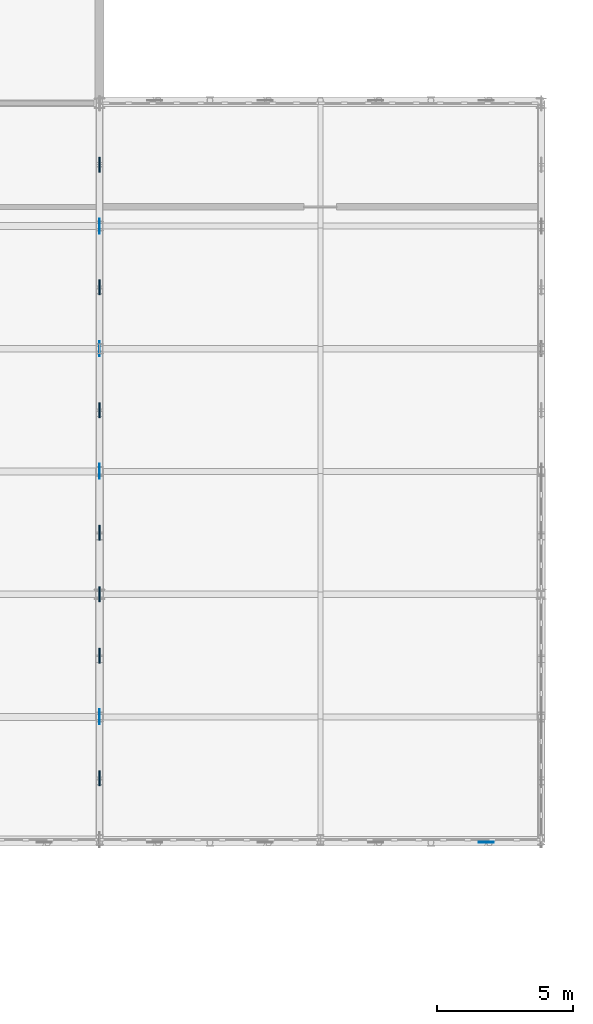
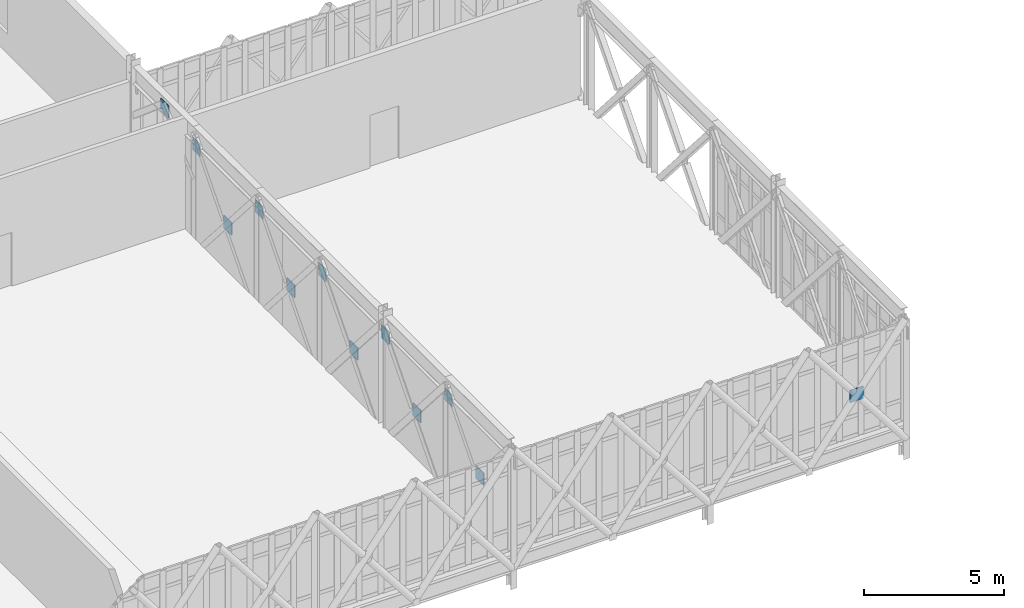
# One storey, part 85 of 107: 12 plates.
"""IFC4 building model written with IfcOpenShell, lengths in metres."""

from ifc_helpers import new_model, si_unit, direction, frame, origin, origin_2d, place, context, subcontext, project, spatial, rectangle, extrude, material, layer, layer_set, type_object, element, save


model = new_model("IFC4")

# Units and contexts
model_context = context("Model", 3, precision=1e-05, world=origin(), true_north=direction((0.0, 1.0)))
body_context = subcontext(model_context, "Body", "Model", "MODEL_VIEW")
ifc_project = project(units=[si_unit("LENGTHUNIT", "METRE"), si_unit("AREAUNIT", "SQUARE_METRE"), si_unit("VOLUMEUNIT", "CUBIC_METRE"), si_unit("PLANEANGLEUNIT", "RADIAN"), si_unit("MASSUNIT", "GRAM", prefix="KILO")], contexts=[model_context])

# Site, building, storey
site_placement = place(None, origin())
site = spatial("IfcSite", under=ifc_project, at=site_placement, CompositionType="ELEMENT")
building_placement = place(site_placement, origin())
building = spatial("IfcBuilding", under=site, at=building_placement, Name="Tarnveldt Square Police Headquarters", CompositionType="ELEMENT")
storey_placement = place(building_placement, frame((0.0, 0.0, 14.699951171875)))
storey = spatial("IfcBuildingStorey", under=building, at=storey_placement, Name="L03", CompositionType="ELEMENT", Elevation=14.699951171875)

# Plates
ifc_material = material(Name="Steel 350W", Category="steel")
ifc_layer_1 = layer(ifc_material, 0.02001953125)
ifc_layer_set_1 = layer_set([ifc_layer_1], Name="Steel 350W")
plate_type_1 = type_object("IfcPlateType", Name="PLT-GUS-20", PredefinedType="SHEET", material=ifc_layer_set_1)
for number, where, z_axis, x_axis, name in (
    (1, (48.60009765625, 29.5, 3.6318359375), (0.0, 0.0, 1.0), (1.0, 0.0, 0.0), "Node KN-CT3.2 Gusset Plate"),
    (2, (48.60009765625, 20.5, 3.6318359375), (0.0, 0.0, 1.0), (1.0, 0.0, 0.0), "Node KN-CT3.4 Gusset Plate"),
    (3, (48.60009765625, 11.5, 3.6318359375), (0.0, 0.0, 1.0), (1.0, 0.0, 0.0), "Node KN-CT3.6 Gusset Plate"),
):
    element("IfcPlate", number, at=place(storey_placement, frame(where, z_axis=z_axis, x_axis=x_axis)), inside=storey, type_object=plate_type_1, Name=name, PredefinedType="SHEET", context=body_context, shape_type="SweptSolid", body=[
        extrude(rectangle(XDim=0.02001953125, YDim=0.550048828125, at=origin_2d()), origin(), (0.0, 0.0, 1.0), 0.550048828125),
    ])
ifc_layer_2 = layer(ifc_material, 0.031982421875)
ifc_layer_set_2 = layer_set([ifc_layer_2], Name="Steel 350W")
plate_type_2 = type_object("IfcPlateType", Name="PLT-GUS-32", PredefinedType="SHEET", material=ifc_layer_set_2)
plate_1_placement = place(storey_placement, frame((48.60009765625, 25.0, 3.6318359375), z_axis=(0.0, 0.0, 1.0), x_axis=(1.0, 0.0, 0.0)))
element("IfcPlate", 4, at=plate_1_placement, inside=storey, type_object=plate_type_2, Name="Node KN-CT3.3 Gusset Plate", PredefinedType="SHEET", context=body_context, shape_type="SweptSolid", body=[
    extrude(rectangle(XDim=0.031982421875, YDim=0.550048828125, at=origin_2d()), origin(), (0.0, 0.0, 1.0), 0.550048828125),
])
plate_2_placement = place(storey_placement, frame((62.77490234375, 6.89990234375, 1.58203125), z_axis=(0.0, 0.0, 1.0), x_axis=(1.0, 0.0, 0.0)))
element("IfcPlate", 5, at=plate_2_placement, inside=storey, type_object=plate_type_2, Name="Command Lantern S Lattice Crossing Gusset Plate 7.2", PredefinedType="SHEET", context=body_context, shape_type="SweptSolid", body=[
    extrude(rectangle(XDim=0.550048828125, YDim=0.031982421875, at=origin_2d()), origin(), (0.0, 0.0, 1.0), 0.550048828125),
])
ifc_layer_3 = layer(ifc_material, 0.0419921875)
ifc_layer_set_3 = layer_set([ifc_layer_3], Name="Steel 350W")
plate_type_3 = type_object("IfcPlateType", Name="PLT-GUS-42", PredefinedType="SHEET", material=ifc_layer_set_3)
for number, where, z_axis, x_axis, name in (
    (6, (48.60009765625, 31.75, 3.9619140625), (0.0, 0.0, 1.0), (1.0, 0.0, 0.0), "Cantilever Truss CT-3 L03 Portal Gusset Plate 1"),
    (7, (48.60009765625, 27.25, 1.58203125), (0.0, 0.0, 1.0), (1.0, 0.0, 0.0), "Cantilever Truss CT-3 L03 Centre Gusset Plate 2"),
    (8, (48.60009765625, 22.75, 1.58203125), (0.0, 0.0, 1.0), (1.0, 0.0, 0.0), "Cantilever Truss CT-3 L03 Centre Gusset Plate 3"),
    (9, (48.60009765625, 18.25, 1.58203125), (0.0, 0.0, 1.0), (1.0, 0.0, 0.0), "Cantilever Truss CT-3 L03 Centre Gusset Plate 4"),
    (10, (48.60009765625, 13.75, 1.58203125), (0.0, 0.0, 1.0), (1.0, 0.0, 0.0), "Cantilever Truss CT-3 L03 Centre Gusset Plate 5"),
    (11, (48.60009765625, 9.25, 1.58203125), (0.0, 0.0, 1.0), (1.0, 0.0, 0.0), "Cantilever Truss CT-3 L03 Centre Gusset Plate 6"),
    (12, (48.60009765625, 16.0, 3.6318359375), (0.0, 0.0, 1.0), (1.0, 0.0, 0.0), "Node KN-CT3.5 Gusset Plate"),
):
    element("IfcPlate", number, at=place(storey_placement, frame(where, z_axis=z_axis, x_axis=x_axis)), inside=storey, type_object=plate_type_3, Name=name, PredefinedType="SHEET", context=body_context, shape_type="SweptSolid", body=[
        extrude(rectangle(XDim=0.0419921875, YDim=0.550048828125, at=origin_2d()), origin(), (0.0, 0.0, 1.0), 0.550048828125),
    ])

save(model, "model.ifc")
